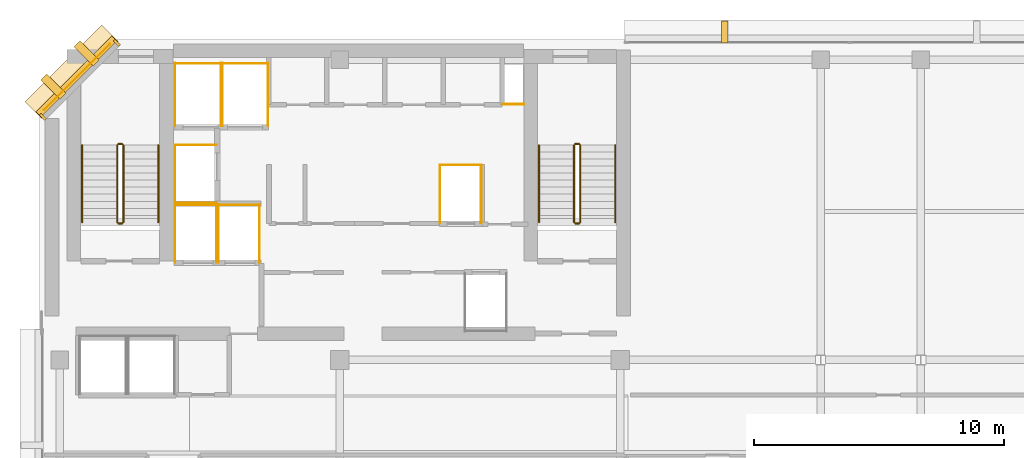
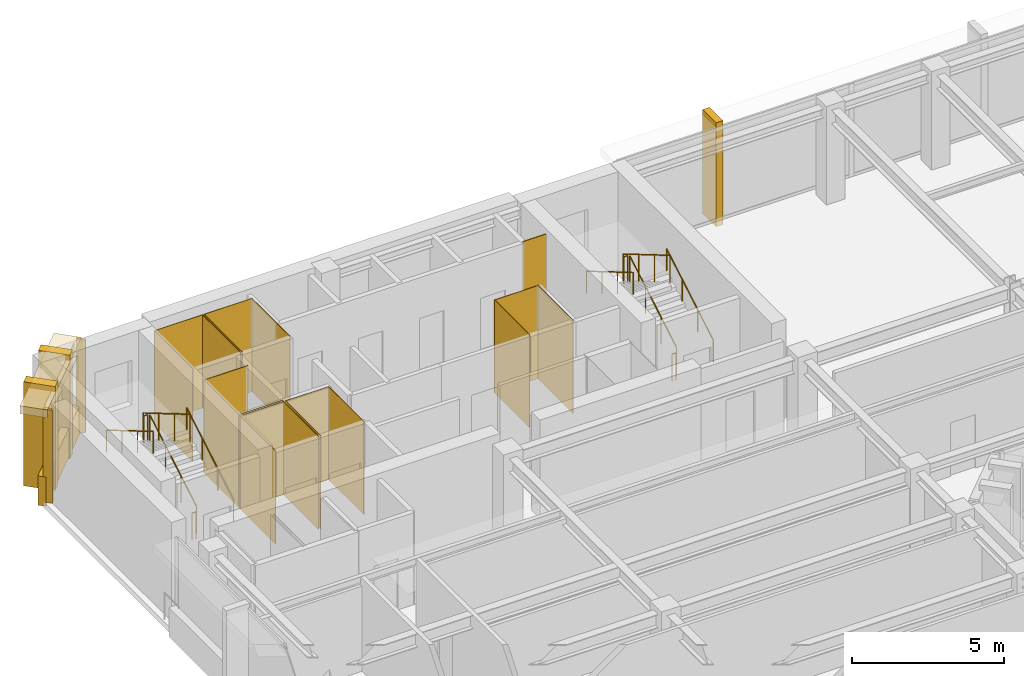
# One storey, part 10 of 11: 27 coverings, 12 railings.
"""IFC4 building model written with IfcOpenShell, lengths in metres."""

from ifc_helpers import new_model, si_unit, direction, frame, origin, origin_2d, place, context, subcontext, project, spatial, polyline, rectangle, circle, outline, extrude, material, layer, layer_set, type_object, element, save


model = new_model("IFC4")

# Units and contexts
model_context = context("Model", 3, precision=1e-05, world=origin(), true_north=direction((0.0, 1.0)))
body_context = subcontext(model_context, "Body", "Model", "MODEL_VIEW")
ifc_project = project(units=[si_unit("LENGTHUNIT", "METRE"), si_unit("AREAUNIT", "SQUARE_METRE"), si_unit("VOLUMEUNIT", "CUBIC_METRE"), si_unit("PLANEANGLEUNIT", "RADIAN"), si_unit("MASSUNIT", "GRAM", prefix="KILO")], contexts=[model_context])

# Site, building, storey
site_placement = place(None, origin())
site = spatial("IfcSite", under=ifc_project, at=site_placement, CompositionType="ELEMENT")
building_placement = place(site_placement, origin())
building = spatial("IfcBuilding", under=site, at=building_placement, Name="Kefirva Bronze Tower", CompositionType="ELEMENT")
storey_placement = place(building_placement, frame((0.0, 0.0, 335.610107421875)))
storey = spatial("IfcBuildingStorey", under=building, at=storey_placement, Name="L82", CompositionType="ELEMENT", Elevation=335.610107421875)

# Coverings
ifc_material_1 = material(Name="Bronze anodised aluminium", Category="aluminium")
ifc_layer_1 = layer(ifc_material_1, 0.02001953125, Name="Bronze anodised aluminium")
ifc_layer_set_1 = layer_set([ifc_layer_1], Name="Bronze anodised aluminium")
covering_type_1 = type_object("IfcCoveringType", Name="Anodised Bronze Spandrel Cladding 20mm", PredefinedType="CLADDING", material=ifc_layer_set_1)
covering_1_placement = place(storey_placement, frame((1.492919921875, 44.507080078125, 3.31982421875), z_axis=(0.0, 0.0, 1.0), x_axis=(-0.707106781187, -0.707106781187, 0.0)))
element("IfcCovering", 1, at=covering_1_placement, inside=storey, type_object=covering_type_1, Name="L82 Bronze Spandrel Cladding 6", PredefinedType="CLADDING", context=body_context, shape_type="SweptSolid", body=[
    extrude(rectangle(XDim=3.719482421875, YDim=0.02001953125, at=origin_2d()), origin(), (0.0, 0.0, 1.0), 0.39990234375),
])
for number, where, z_axis, x_axis, name in (
    (2, (3.08837890625, 45.862060546875, 0.0), (0.0, 0.0, 1.0), (-0.707106781187, -0.707106781187, 0.0), "L82 Facade Joint Closure Panel 6S"),
    (3, (0.137939453125, 42.91162109375, 0.0), (0.0, 0.0, 1.0), (-0.707106781187, -0.707106781187, 0.0), "L82 Facade Joint Closure Panel 6E"),
):
    element("IfcCovering", number, at=place(storey_placement, frame(where, z_axis=z_axis, x_axis=x_axis)), inside=storey, type_object=covering_type_1, Name=name, PredefinedType="CLADDING", context=body_context, shape_type="SweptSolid", body=[
        extrude(rectangle(XDim=0.10009765625, YDim=0.320068359375, at=origin_2d()), origin(), (0.0, 0.0, 1.0), 3.739990234375),
    ])
covering_2_placement = place(storey_placement, frame((1.4716796875, 44.5283203125, -0.16015625), z_axis=(0.0, 0.0, 1.0), x_axis=(-0.707106781187, -0.707106781187, 0.0)))
element("IfcCovering", 4, at=covering_2_placement, inside=storey, type_object=covering_type_1, Name="L82 Streamline Horizontal Spandrel Band 9", PredefinedType="CLADDING", context=body_context, shape_type="SweptSolid", body=[
    extrude(rectangle(XDim=4.28271484375, YDim=0.280029296875, at=origin_2d()), origin(), (0.0, 0.0, 1.0), 1.179931640625),
])
covering_3_placement = place(storey_placement, origin())
element("IfcCovering", 5, at=covering_3_placement, inside=storey, type_object=covering_type_1, Name="L82 Lift FF1 Hoistway Liner N", PredefinedType="CLADDING", context=body_context, shape_type="SweptSolid", body=[
    extrude(outline(polyline([(5.39990234375, 39.389892578125), (7.080078125, 39.389892578125), (7.080078125, 39.409912109375), (5.39990234375, 39.409912109375), (5.39990234375, 39.389892578125)])), origin(), (0.0, 0.0, 1.0), 3.739990234375),
])
covering_4_placement = place(storey_placement, origin())
element("IfcCovering", 6, at=covering_4_placement, inside=storey, type_object=covering_type_1, Name="L82 Lift FF1 Hoistway Liner W", PredefinedType="CLADDING", context=body_context, shape_type="SweptSolid", body=[
    extrude(outline(polyline([(5.409912109375, 37.080078125), (5.429931640625, 37.080078125), (5.429931640625, 39.419921875), (5.409912109375, 39.419921875), (5.409912109375, 37.080078125)])), origin(), (0.0, 0.0, 1.0), 3.739990234375),
])
covering_5_placement = place(storey_placement, origin())
element("IfcCovering", 7, at=covering_5_placement, inside=storey, type_object=covering_type_1, Name="L82 Lift FF1 Hoistway Liner E", PredefinedType="CLADDING", context=body_context, shape_type="SweptSolid", body=[
    extrude(outline(polyline([(7.050048828125, 37.080078125), (7.070068359375, 37.080078125), (7.070068359375, 39.419921875), (7.050048828125, 39.419921875), (7.050048828125, 37.080078125)])), origin(), (0.0, 0.0, 1.0), 3.739990234375),
])
covering_6_placement = place(storey_placement, origin())
element("IfcCovering", 8, at=covering_6_placement, inside=storey, type_object=covering_type_1, Name="L82 Lift FF2 Hoistway Liner N", PredefinedType="CLADDING", context=body_context, shape_type="SweptSolid", body=[
    extrude(outline(polyline([(7.1201171875, 39.389892578125), (8.800048828125, 39.389892578125), (8.800048828125, 39.409912109375), (7.1201171875, 39.409912109375), (7.1201171875, 39.389892578125)])), origin(), (0.0, 0.0, 1.0), 3.739990234375),
])
covering_7_placement = place(storey_placement, origin())
element("IfcCovering", 9, at=covering_7_placement, inside=storey, type_object=covering_type_1, Name="L82 Lift FF2 Hoistway Liner W", PredefinedType="CLADDING", context=body_context, shape_type="SweptSolid", body=[
    extrude(outline(polyline([(7.1298828125, 37.080078125), (7.14990234375, 37.080078125), (7.14990234375, 39.419921875), (7.1298828125, 39.419921875), (7.1298828125, 37.080078125)])), origin(), (0.0, 0.0, 1.0), 3.739990234375),
])
covering_8_placement = place(storey_placement, origin())
element("IfcCovering", 10, at=covering_8_placement, inside=storey, type_object=covering_type_1, Name="L82 Lift FF2 Hoistway Liner E", PredefinedType="CLADDING", context=body_context, shape_type="SweptSolid", body=[
    extrude(outline(polyline([(8.77001953125, 37.080078125), (8.7900390625, 37.080078125), (8.7900390625, 39.419921875), (8.77001953125, 39.419921875), (8.77001953125, 37.080078125)])), origin(), (0.0, 0.0, 1.0), 3.739990234375),
])
covering_9_placement = place(storey_placement, origin())
element("IfcCovering", 11, at=covering_9_placement, inside=storey, type_object=covering_type_1, Name="L82 Lift SV1 Hoistway Liner N", PredefinedType="CLADDING", context=body_context, shape_type="SweptSolid", body=[
    extrude(outline(polyline([(5.39990234375, 45.0400390625), (7.260009765625, 45.0400390625), (7.260009765625, 45.06005859375), (5.39990234375, 45.06005859375), (5.39990234375, 45.0400390625)])), origin(), (0.0, 0.0, 1.0), 3.739990234375),
])
covering_10_placement = place(storey_placement, origin())
element("IfcCovering", 12, at=covering_10_placement, inside=storey, type_object=covering_type_1, Name="L82 Lift SV1 Hoistway Liner W", PredefinedType="CLADDING", context=body_context, shape_type="SweptSolid", body=[
    extrude(outline(polyline([(5.409912109375, 42.530029296875), (5.429931640625, 42.530029296875), (5.429931640625, 45.070068359375), (5.409912109375, 45.070068359375), (5.409912109375, 42.530029296875)])), origin(), (0.0, 0.0, 1.0), 3.739990234375),
])
covering_11_placement = place(storey_placement, origin())
element("IfcCovering", 13, at=covering_11_placement, inside=storey, type_object=covering_type_1, Name="L82 Lift SV1 Hoistway Liner E", PredefinedType="CLADDING", context=body_context, shape_type="SweptSolid", body=[
    extrude(outline(polyline([(7.22998046875, 42.530029296875), (7.25, 42.530029296875), (7.25, 45.070068359375), (7.22998046875, 45.070068359375), (7.22998046875, 42.530029296875)])), origin(), (0.0, 0.0, 1.0), 3.739990234375),
])
covering_12_placement = place(storey_placement, origin())
element("IfcCovering", 14, at=covering_12_placement, inside=storey, type_object=covering_type_1, Name="L82 Lift SV2 Hoistway Liner N", PredefinedType="CLADDING", context=body_context, shape_type="SweptSolid", body=[
    extrude(outline(polyline([(7.280029296875, 45.0400390625), (9.139892578125, 45.0400390625), (9.139892578125, 45.06005859375), (7.280029296875, 45.06005859375), (7.280029296875, 45.0400390625)])), origin(), (0.0, 0.0, 1.0), 3.739990234375),
])
covering_13_placement = place(storey_placement, origin())
element("IfcCovering", 15, at=covering_13_placement, inside=storey, type_object=covering_type_1, Name="L82 Lift SV2 Hoistway Liner W", PredefinedType="CLADDING", context=body_context, shape_type="SweptSolid", body=[
    extrude(outline(polyline([(7.2900390625, 42.530029296875), (7.31005859375, 42.530029296875), (7.31005859375, 45.070068359375), (7.2900390625, 45.070068359375), (7.2900390625, 42.530029296875)])), origin(), (0.0, 0.0, 1.0), 3.739990234375),
])
covering_14_placement = place(storey_placement, origin())
element("IfcCovering", 16, at=covering_14_placement, inside=storey, type_object=covering_type_1, Name="L82 Lift SV2 Hoistway Liner E", PredefinedType="CLADDING", context=body_context, shape_type="SweptSolid", body=[
    extrude(outline(polyline([(9.110107421875, 42.530029296875), (9.1298828125, 42.530029296875), (9.1298828125, 45.070068359375), (9.110107421875, 45.070068359375), (9.110107421875, 42.530029296875)])), origin(), (0.0, 0.0, 1.0), 3.739990234375),
])
covering_15_placement = place(storey_placement, origin())
element("IfcCovering", 17, at=covering_15_placement, inside=storey, type_object=covering_type_1, Name="L82 Lift HP2 Hoistway Liner N", PredefinedType="CLADDING", context=body_context, shape_type="SweptSolid", body=[
    extrude(outline(polyline([(15.97998046875, 40.969970703125), (17.669921875, 40.969970703125), (17.669921875, 40.989990234375), (15.97998046875, 40.989990234375), (15.97998046875, 40.969970703125)])), origin(), (0.0, 0.0, 1.0), 3.739990234375),
])
covering_16_placement = place(storey_placement, origin())
element("IfcCovering", 18, at=covering_16_placement, inside=storey, type_object=covering_type_1, Name="L82 Lift HP2 Hoistway Liner W", PredefinedType="CLADDING", context=body_context, shape_type="SweptSolid", body=[
    extrude(outline(polyline([(15.989990234375, 38.659912109375), (16.010009765625, 38.659912109375), (16.010009765625, 41.0), (15.989990234375, 41.0), (15.989990234375, 38.659912109375)])), origin(), (0.0, 0.0, 1.0), 3.739990234375),
])
covering_17_placement = place(storey_placement, origin())
element("IfcCovering", 19, at=covering_17_placement, inside=storey, type_object=covering_type_1, Name="L82 Lift HP2 Hoistway Liner E", PredefinedType="CLADDING", context=body_context, shape_type="SweptSolid", body=[
    extrude(outline(polyline([(17.639892578125, 38.659912109375), (17.659912109375, 38.659912109375), (17.659912109375, 41.0), (17.639892578125, 41.0), (17.639892578125, 38.659912109375)])), origin(), (0.0, 0.0, 1.0), 3.739990234375),
])
covering_18_placement = place(storey_placement, origin())
element("IfcCovering", 20, at=covering_18_placement, inside=storey, type_object=covering_type_1, Name="L82 Lift HP3 Hoistway Liner N", PredefinedType="CLADDING", context=body_context, shape_type="SweptSolid", body=[
    extrude(outline(polyline([(5.39990234375, 41.77001953125), (7.080078125, 41.77001953125), (7.080078125, 41.7900390625), (5.39990234375, 41.7900390625), (5.39990234375, 41.77001953125)])), origin(), (0.0, 0.0, 1.0), 3.739990234375),
])
covering_19_placement = place(storey_placement, origin())
element("IfcCovering", 21, at=covering_19_placement, inside=storey, type_object=covering_type_1, Name="L82 Lift HP3 Hoistway Liner S", PredefinedType="CLADDING", context=body_context, shape_type="SweptSolid", body=[
    extrude(outline(polyline([(5.39990234375, 39.469970703125), (7.080078125, 39.469970703125), (7.080078125, 39.489990234375), (5.39990234375, 39.489990234375), (5.39990234375, 39.469970703125)])), origin(), (0.0, 0.0, 1.0), 3.739990234375),
])
covering_20_placement = place(storey_placement, origin())
element("IfcCovering", 22, at=covering_20_placement, inside=storey, type_object=covering_type_1, Name="L82 Lift HP3 Hoistway Liner W", PredefinedType="CLADDING", context=body_context, shape_type="SweptSolid", body=[
    extrude(outline(polyline([(5.409912109375, 39.4599609375), (5.429931640625, 39.4599609375), (5.429931640625, 41.800048828125), (5.409912109375, 41.800048828125), (5.409912109375, 39.4599609375)])), origin(), (0.0, 0.0, 1.0), 3.739990234375),
])
covering_21_placement = place(storey_placement, origin())
element("IfcCovering", 23, at=covering_21_placement, inside=storey, type_object=covering_type_1, Name="L82 Core MEP Riser Shaft Liner South", PredefinedType="CLADDING", context=body_context, shape_type="SweptSolid", body=[
    extrude(outline(polyline([(18.47998046875, 43.39990234375), (19.360107421875, 43.39990234375), (19.360107421875, 43.429931640625), (18.47998046875, 43.429931640625), (18.47998046875, 43.39990234375)])), origin(), (0.0, 0.0, 1.0), 3.739990234375),
])

# Railings
ifc_material_2 = material(Name="Stainless steel 316", Category="steel")
railing_type_1 = type_object("IfcRailingType", Name="Interior Stair Guardrail 1100mm", PredefinedType="GUARDRAIL", material=ifc_material_2)
railing_1_placement = place(storey_placement, frame((3.35009765625, 38.699951171875, 0.164794921875)))
element("IfcRailing", 24, at=railing_1_placement, inside=storey, type_object=railing_type_1, Name="L82 ST-1 stair guard 1", PredefinedType="GUARDRAIL", context=body_context, shape_type="SweptSolid", body=[
    extrude(circle(Radius=0.02392578125, at=origin_2d()), frame((0.0, 0.0, 1.076171875), z_axis=(0.0, 0.861521393093, 0.507721271215), x_axis=(-1.0, 0.0, 0.0)), (0.0, 0.0, 1.0), 3.5751953125),
    extrude(circle(Radius=0.02099609375, at=origin_2d()), origin(), (0.0, 0.0, 1.0), 1.052001953125),
    extrude(circle(Radius=0.02099609375, at=origin_2d()), frame((0.0, 1.026611328125, 0.60498046875)), (0.0, 0.0, 1.0), 1.052001953125),
    extrude(circle(Radius=0.02099609375, at=origin_2d()), frame((0.0, 2.053466796875, 1.210205078125)), (0.0, 0.0, 1.0), 1.052001953125),
    extrude(circle(Radius=0.02099609375, at=origin_2d()), frame((0.0, 3.080078125, 1.815185546875)), (0.0, 0.0, 1.0), 1.052001953125),
])
railing_2_placement = place(storey_placement, frame((3.300048828125, 41.830078125, 1.97998046875)))
element("IfcRailing", 25, at=railing_2_placement, inside=storey, type_object=railing_type_1, Name="L82 ST-1 stair guard 2", PredefinedType="GUARDRAIL", context=body_context, shape_type="SweptSolid", body=[
    extrude(circle(Radius=0.02392578125, at=origin_2d()), frame((0.0, 0.0, 1.076171875), z_axis=(-1.0, 0.0, 0.0), x_axis=(0.0, -1.0, 0.0)), (0.0, 0.0, 1.0), 0.150146484375),
    extrude(circle(Radius=0.02099609375, at=origin_2d()), origin(), (0.0, 0.0, 1.0), 1.052001953125),
    extrude(circle(Radius=0.02099609375, at=origin_2d()), frame((-0.150146484375, 0.0, 0.0)), (0.0, 0.0, 1.0), 1.052001953125),
])
railing_3_placement = place(storey_placement, frame((3.10009765625, 41.780029296875, 2.144775390625)))
element("IfcRailing", 26, at=railing_3_placement, inside=storey, type_object=railing_type_1, Name="L82 ST-1 stair guard 3", PredefinedType="GUARDRAIL", context=body_context, shape_type="SweptSolid", body=[
    extrude(circle(Radius=0.02392578125, at=origin_2d()), frame((0.0, 0.0, 1.076171875), z_axis=(0.0, -0.861521393093, 0.507721271215), x_axis=(1.0, 0.0, 0.0)), (0.0, 0.0, 1.0), 3.5751953125),
    extrude(circle(Radius=0.02099609375, at=origin_2d()), origin(), (0.0, 0.0, 1.0), 1.052001953125),
    extrude(circle(Radius=0.02099609375, at=origin_2d()), frame((0.0, -1.026611328125, 0.60498046875)), (0.0, 0.0, 1.0), 1.052001953125),
    extrude(circle(Radius=0.02099609375, at=origin_2d()), frame((0.0, -2.053466796875, 1.210205078125)), (0.0, 0.0, 1.0), 1.052001953125),
    extrude(circle(Radius=0.02099609375, at=origin_2d()), frame((0.0, -3.080078125, 1.815185546875)), (0.0, 0.0, 1.0), 1.052001953125),
])
railing_4_placement = place(storey_placement, frame((3.300048828125, 38.64990234375, 0.0)))
element("IfcRailing", 27, at=railing_4_placement, inside=storey, type_object=railing_type_1, Name="L82 ST-1 stair guard 4", PredefinedType="GUARDRAIL", context=body_context, shape_type="SweptSolid", body=[
    extrude(circle(Radius=0.02392578125, at=origin_2d()), frame((0.0, 0.0, 1.076171875), z_axis=(-1.0, 0.0, 0.0), x_axis=(0.0, -1.0, 0.0)), (0.0, 0.0, 1.0), 0.150146484375),
    extrude(circle(Radius=0.02099609375, at=origin_2d()), origin(), (0.0, 0.0, 1.0), 1.052001953125),
    extrude(circle(Radius=0.02099609375, at=origin_2d()), frame((-0.150146484375, 0.0, 0.0)), (0.0, 0.0, 1.0), 1.052001953125),
])
railing_5_placement = place(storey_placement, frame((21.60009765625, 38.699951171875, 0.164794921875)))
element("IfcRailing", 28, at=railing_5_placement, inside=storey, type_object=railing_type_1, Name="L82 ST-2 stair guard 1", PredefinedType="GUARDRAIL", context=body_context, shape_type="SweptSolid", body=[
    extrude(circle(Radius=0.02392578125, at=origin_2d()), frame((0.0, 0.0, 1.076171875), z_axis=(0.0, 0.861521393093, 0.507721271215), x_axis=(-1.0, 0.0, 0.0)), (0.0, 0.0, 1.0), 3.5751953125),
    extrude(circle(Radius=0.02099609375, at=origin_2d()), origin(), (0.0, 0.0, 1.0), 1.052001953125),
    extrude(circle(Radius=0.02099609375, at=origin_2d()), frame((0.0, 1.026611328125, 0.60498046875)), (0.0, 0.0, 1.0), 1.052001953125),
    extrude(circle(Radius=0.02099609375, at=origin_2d()), frame((0.0, 2.053466796875, 1.210205078125)), (0.0, 0.0, 1.0), 1.052001953125),
    extrude(circle(Radius=0.02099609375, at=origin_2d()), frame((0.0, 3.080078125, 1.815185546875)), (0.0, 0.0, 1.0), 1.052001953125),
])
railing_6_placement = place(storey_placement, frame((21.550048828125, 41.830078125, 1.97998046875)))
element("IfcRailing", 29, at=railing_6_placement, inside=storey, type_object=railing_type_1, Name="L82 ST-2 stair guard 2", PredefinedType="GUARDRAIL", context=body_context, shape_type="SweptSolid", body=[
    extrude(circle(Radius=0.02392578125, at=origin_2d()), frame((0.0, 0.0, 1.076171875), z_axis=(-1.0, 0.0, 0.0), x_axis=(0.0, -1.0, 0.0)), (0.0, 0.0, 1.0), 0.150146484375),
    extrude(circle(Radius=0.02099609375, at=origin_2d()), origin(), (0.0, 0.0, 1.0), 1.052001953125),
    extrude(circle(Radius=0.02099609375, at=origin_2d()), frame((-0.150146484375, 0.0, 0.0)), (0.0, 0.0, 1.0), 1.052001953125),
])
railing_7_placement = place(storey_placement, frame((21.35009765625, 41.780029296875, 2.144775390625)))
element("IfcRailing", 30, at=railing_7_placement, inside=storey, type_object=railing_type_1, Name="L82 ST-2 stair guard 3", PredefinedType="GUARDRAIL", context=body_context, shape_type="SweptSolid", body=[
    extrude(circle(Radius=0.02392578125, at=origin_2d()), frame((0.0, 0.0, 1.076171875), z_axis=(0.0, -0.861521393093, 0.507721271215), x_axis=(1.0, 0.0, 0.0)), (0.0, 0.0, 1.0), 3.5751953125),
    extrude(circle(Radius=0.02099609375, at=origin_2d()), origin(), (0.0, 0.0, 1.0), 1.052001953125),
    extrude(circle(Radius=0.02099609375, at=origin_2d()), frame((0.0, -1.026611328125, 0.60498046875)), (0.0, 0.0, 1.0), 1.052001953125),
    extrude(circle(Radius=0.02099609375, at=origin_2d()), frame((0.0, -2.053466796875, 1.210205078125)), (0.0, 0.0, 1.0), 1.052001953125),
    extrude(circle(Radius=0.02099609375, at=origin_2d()), frame((0.0, -3.080078125, 1.815185546875)), (0.0, 0.0, 1.0), 1.052001953125),
])
railing_8_placement = place(storey_placement, frame((21.550048828125, 38.64990234375, 0.0)))
element("IfcRailing", 31, at=railing_8_placement, inside=storey, type_object=railing_type_1, Name="L82 ST-2 stair guard 4", PredefinedType="GUARDRAIL", context=body_context, shape_type="SweptSolid", body=[
    extrude(circle(Radius=0.02392578125, at=origin_2d()), frame((0.0, 0.0, 1.076171875), z_axis=(-1.0, 0.0, 0.0), x_axis=(0.0, -1.0, 0.0)), (0.0, 0.0, 1.0), 0.150146484375),
    extrude(circle(Radius=0.02099609375, at=origin_2d()), origin(), (0.0, 0.0, 1.0), 1.052001953125),
    extrude(circle(Radius=0.02099609375, at=origin_2d()), frame((-0.150146484375, 0.0, 0.0)), (0.0, 0.0, 1.0), 1.052001953125),
])
railing_type_2 = type_object("IfcRailingType", Name="Stair Pitch Handrail 900mm", PredefinedType="HANDRAIL", material=ifc_material_2)
railing_9_placement = place(storey_placement, frame((4.75, 38.699951171875, 0.164794921875)))
element("IfcRailing", 32, at=railing_9_placement, inside=storey, type_object=railing_type_2, Name="L82 ST-1 stair handrail 1", PredefinedType="HANDRAIL", context=body_context, shape_type="SweptSolid", body=[
    extrude(circle(Radius=0.02392578125, at=origin_2d()), frame((0.0, 0.0, 0.8759765625), z_axis=(0.0, 0.861521393093, 0.507721271215), x_axis=(-1.0, 0.0, 0.0)), (0.0, 0.0, 1.0), 3.5751953125),
    extrude(circle(Radius=0.02099609375, at=origin_2d()), origin(), (0.0, 0.0, 1.0), 0.851806640625),
    extrude(circle(Radius=0.02099609375, at=origin_2d()), frame((0.0, 1.026611328125, 0.60498046875)), (0.0, 0.0, 1.0), 0.851806640625),
    extrude(circle(Radius=0.02099609375, at=origin_2d()), frame((0.0, 2.053466796875, 1.210205078125)), (0.0, 0.0, 1.0), 0.851806640625),
    extrude(circle(Radius=0.02099609375, at=origin_2d()), frame((0.0, 3.080078125, 1.815185546875)), (0.0, 0.0, 1.0), 0.851806640625),
])
railing_10_placement = place(storey_placement, frame((1.699951171875, 41.780029296875, 2.144775390625)))
element("IfcRailing", 33, at=railing_10_placement, inside=storey, type_object=railing_type_2, Name="L82 ST-1 stair handrail 2", PredefinedType="HANDRAIL", context=body_context, shape_type="SweptSolid", body=[
    extrude(circle(Radius=0.02392578125, at=origin_2d()), frame((0.0, 0.0, 0.8759765625), z_axis=(0.0, -0.861521393093, 0.507721271215), x_axis=(1.0, 0.0, 0.0)), (0.0, 0.0, 1.0), 3.5751953125),
    extrude(circle(Radius=0.02099609375, at=origin_2d()), origin(), (0.0, 0.0, 1.0), 0.851806640625),
    extrude(circle(Radius=0.02099609375, at=origin_2d()), frame((0.0, -1.026611328125, 0.60498046875)), (0.0, 0.0, 1.0), 0.851806640625),
    extrude(circle(Radius=0.02099609375, at=origin_2d()), frame((0.0, -2.053466796875, 1.210205078125)), (0.0, 0.0, 1.0), 0.851806640625),
    extrude(circle(Radius=0.02099609375, at=origin_2d()), frame((0.0, -3.080078125, 1.815185546875)), (0.0, 0.0, 1.0), 0.851806640625),
])
railing_11_placement = place(storey_placement, frame((23.0, 38.699951171875, 0.164794921875)))
element("IfcRailing", 34, at=railing_11_placement, inside=storey, type_object=railing_type_2, Name="L82 ST-2 stair handrail 1", PredefinedType="HANDRAIL", context=body_context, shape_type="SweptSolid", body=[
    extrude(circle(Radius=0.02392578125, at=origin_2d()), frame((0.0, 0.0, 0.8759765625), z_axis=(0.0, 0.861521393093, 0.507721271215), x_axis=(-1.0, 0.0, 0.0)), (0.0, 0.0, 1.0), 3.5751953125),
    extrude(circle(Radius=0.02099609375, at=origin_2d()), origin(), (0.0, 0.0, 1.0), 0.851806640625),
    extrude(circle(Radius=0.02099609375, at=origin_2d()), frame((0.0, 1.026611328125, 0.60498046875)), (0.0, 0.0, 1.0), 0.851806640625),
    extrude(circle(Radius=0.02099609375, at=origin_2d()), frame((0.0, 2.053466796875, 1.210205078125)), (0.0, 0.0, 1.0), 0.851806640625),
    extrude(circle(Radius=0.02099609375, at=origin_2d()), frame((0.0, 3.080078125, 1.815185546875)), (0.0, 0.0, 1.0), 0.851806640625),
])
railing_12_placement = place(storey_placement, frame((19.949951171875, 41.780029296875, 2.144775390625)))
element("IfcRailing", 35, at=railing_12_placement, inside=storey, type_object=railing_type_2, Name="L82 ST-2 stair handrail 2", PredefinedType="HANDRAIL", context=body_context, shape_type="SweptSolid", body=[
    extrude(circle(Radius=0.02392578125, at=origin_2d()), frame((0.0, 0.0, 0.8759765625), z_axis=(0.0, -0.861521393093, 0.507721271215), x_axis=(1.0, 0.0, 0.0)), (0.0, 0.0, 1.0), 3.5751953125),
    extrude(circle(Radius=0.02099609375, at=origin_2d()), origin(), (0.0, 0.0, 1.0), 0.851806640625),
    extrude(circle(Radius=0.02099609375, at=origin_2d()), frame((0.0, -1.026611328125, 0.60498046875)), (0.0, 0.0, 1.0), 0.851806640625),
    extrude(circle(Radius=0.02099609375, at=origin_2d()), frame((0.0, -2.053466796875, 1.210205078125)), (0.0, 0.0, 1.0), 0.851806640625),
    extrude(circle(Radius=0.02099609375, at=origin_2d()), frame((0.0, -3.080078125, 1.815185546875)), (0.0, 0.0, 1.0), 0.851806640625),
])

# Coverings
ifc_layer_2 = layer(ifc_material_1, 0.179931640625, Name="Bronze anodised aluminium")
ifc_layer_set_2 = layer_set([ifc_layer_2], Name="Bronze anodised aluminium")
covering_type_2 = type_object("IfcCoveringType", Name="Streamline Bronze Sunshade Eyebrow Cladding 180mm", PredefinedType="CLADDING", material=ifc_layer_set_2)
covering_22_placement = place(storey_placement, frame((1.28076171875, 44.71923828125, 3.419921875), z_axis=(0.0, 0.0, 1.0), x_axis=(-0.707106781187, -0.707106781187, 0.0)))
element("IfcCovering", 36, at=covering_22_placement, inside=storey, type_object=covering_type_2, Name="L82 Streamline Bronze Sunshade Eyebrow 9", PredefinedType="CLADDING", context=body_context, shape_type="SweptSolid", body=[
    extrude(rectangle(XDim=4.322509765625, YDim=0.93994140625, at=origin_2d()), origin(), (0.0, 0.0, 1.0), 0.320068359375),
])
ifc_layer_3 = layer(ifc_material_1, 0.260009765625, Name="Bronze anodised aluminium")
ifc_layer_set_3 = layer_set([ifc_layer_3], Name="Bronze anodised aluminium")
covering_type_3 = type_object("IfcCoveringType", Name="Unbroken Bronze Buttress Fin Cladding 260mm", PredefinedType="CLADDING", material=ifc_layer_set_3)
covering_23_placement = place(storey_placement, frame((27.364013671875, 46.300048828125, -0.22021484375), z_axis=(0.0, 0.0, 1.0), x_axis=(-1.0, 0.0, 0.0)))
element("IfcCovering", 37, at=covering_23_placement, inside=storey, type_object=covering_type_3, Name="L82 Unbroken Vertical Bronze Rib Fin 18", PredefinedType="CLADDING", context=body_context, shape_type="SweptSolid", body=[
    extrude(rectangle(XDim=0.260009765625, YDim=0.8798828125, at=origin_2d()), origin(), (0.0, 0.0, 1.0), 4.179931640625),
])
for number, where, z_axis, x_axis, name in (
    (38, (1.877197265625, 45.44287109375, -0.22021484375), (0.0, 0.0, 1.0), (-0.707106781187, -0.707106781187, 0.0), "L82 Chamfered Corner Buttress Fin Cladding 19"),
    (39, (0.55712890625, 44.122802734375, -0.22021484375), (0.0, 0.0, 1.0), (-0.707106781187, -0.707106781187, 0.0), "L82 Chamfered Corner Buttress Fin Cladding 20"),
):
    element("IfcCovering", number, at=place(storey_placement, frame(where, z_axis=z_axis, x_axis=x_axis)), inside=storey, type_object=covering_type_3, Name=name, PredefinedType="CLADDING", context=body_context, shape_type="SweptSolid", body=[
        extrude(rectangle(XDim=0.340087890625, YDim=1.080078125, at=origin_2d()), origin(), (0.0, 0.0, 1.0), 4.179931640625),
    ])

save(model, "model.ifc")
